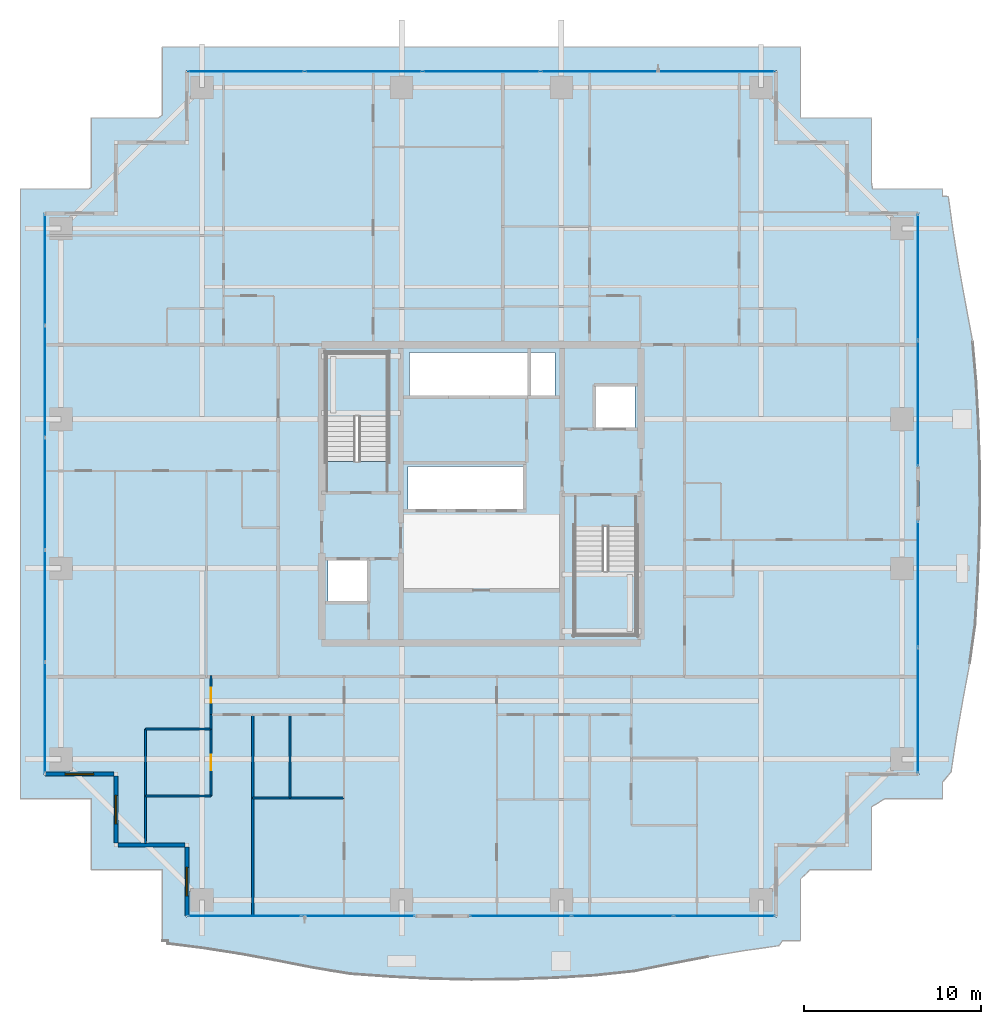
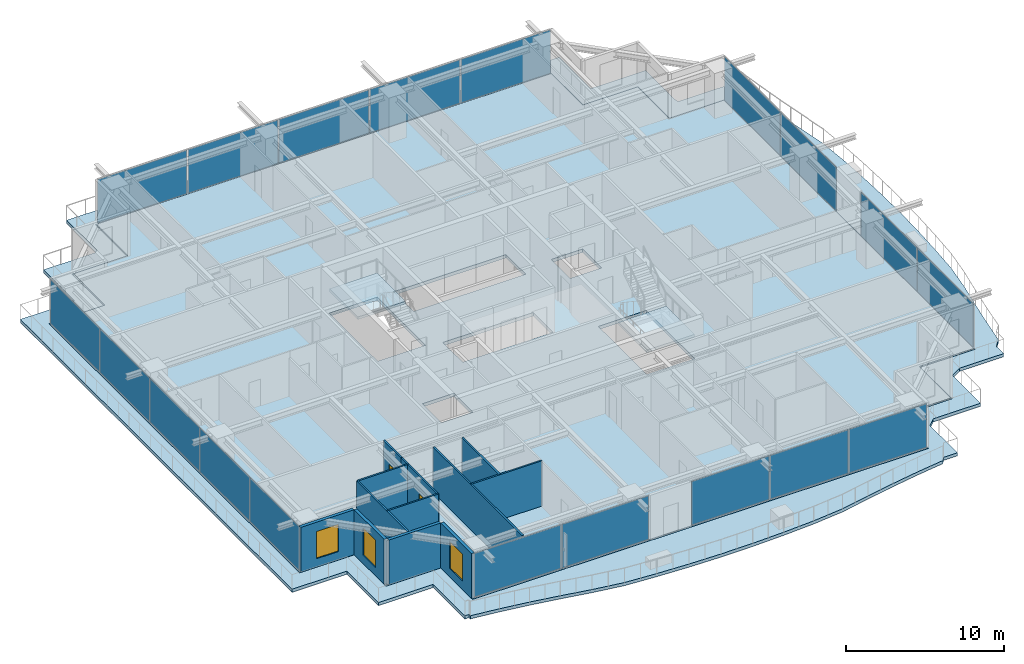
# One storey, part 25 of 36: 19 plates, 13 walls, 4 slabs, 3 windows, 2 doors, 5 openings, 8 elements without a shape of their own.
"""IFC4 building model written with IfcOpenShell, lengths in metres."""

from ifc_helpers import new_model, si_unit, direction, frame, frame_2d, origin, origin_2d, place, context, subcontext, project, spatial, polyline, rectangle, outline, extrude, source, transform, mapped, material, layer, layer_set, type_object, element, fill, aggregate, save


model = new_model("IFC4")

# Units and contexts
model_context = context("Model", 3, precision=1e-05, world=origin(), true_north=direction((0.0, 1.0)))
body_context = subcontext(model_context, "Body", "Model", "MODEL_VIEW")
ifc_project = project(units=[si_unit("LENGTHUNIT", "METRE"), si_unit("AREAUNIT", "SQUARE_METRE"), si_unit("VOLUMEUNIT", "CUBIC_METRE"), si_unit("PLANEANGLEUNIT", "RADIAN"), si_unit("MASSUNIT", "GRAM", prefix="KILO")], contexts=[model_context])

# Site, building, storey
site_placement = place(None, origin())
site = spatial("IfcSite", under=ifc_project, at=site_placement, CompositionType="ELEMENT")
building_placement = place(site_placement, origin())
building = spatial("IfcBuilding", under=site, at=building_placement, Name="Serunith Strait Residences", CompositionType="ELEMENT")
storey_placement = place(building_placement, frame((0.0, 0.0, 146.39990234375)))
storey = spatial("IfcBuildingStorey", under=building, at=storey_placement, Name="L36", CompositionType="ELEMENT", Elevation=146.39990234375)

# Slab
ifc_material_1 = material(Name="Concrete C50/60", Category="concrete")
ifc_layer_1 = layer(ifc_material_1, 0.239990234375, Name="Concrete C50/60")
ifc_layer_set_1 = layer_set([ifc_layer_1], Name="Concrete C50/60")
slab_type_1 = type_object("IfcSlabType", Name="SLB-BALC-240", PredefinedType="FLOOR", material=ifc_layer_set_1)
slab_1_placement = place(storey_placement, frame((0.0, 0.0, -0.289794921875)))
element("IfcSlab", 1, at=slab_1_placement, inside=storey, type_object=slab_type_1, Name="L36 Planted Vertical-Forest Balcony Slab", PredefinedType="FLOOR", context=body_context, shape_type="SweptSolid", body=[
    extrude(outline(polyline([(14.419921875, 0.02001953125), (14.419921875, 4.02001953125), (10.419921875, 4.02001953125), (10.419921875, 8.02001953125), (6.419921875, 8.02001953125), (6.419921875, 42.3798828125), (10.284912109375, 42.3798828125), (10.419921875, 42.47802734375), (10.419921875, 46.3798828125), (14.1982421875, 46.3798828125), (14.419921875, 46.55908203125), (14.419921875, 50.3798828125), (50.3798828125, 50.3798828125), (50.3798828125, 46.3798828125), (54.3798828125, 46.3798828125), (54.3798828125, 42.75341796875), (54.434814453125, 42.3798828125), (58.3798828125, 42.3798828125), (58.3798828125, 41.97314453125), (58.707763671875, 41.9541015625), (58.984619140625, 39.951171875), (59.314697265625, 37.927978515625), (59.689208984375, 35.867919921875), (60.084228515625, 33.7529296875), (60.27587890625, 31.52685546875), (60.400390625, 29.259765625), (60.475341796875, 26.968994140625), (60.49365234375, 24.6669921875), (60.453369140625, 22.3681640625), (60.3583984375, 20.085693359375), (60.217529296875, 17.8310546875), (59.915283203125, 15.655517578125), (59.525634765625, 13.56689453125), (59.168701171875, 11.525390625), (58.861083984375, 9.51318359375), (58.3798828125, 8.947998046875), (58.3798828125, 8.02001953125), (55.145751953125, 8.02001953125), (54.3798828125, 7.5615234375), (54.3798828125, 4.02001953125), (50.92578125, 4.02001953125), (50.3798828125, 3.493896484375), (50.3798828125, 0.02001953125), (49.368896484375, 0.02001953125), (49.1640625, -0.26708984375), (47.167236328125, -0.548095703125), (45.15234375, -0.88916015625), (43.1005859375, -1.282470703125), (40.9912109375, -1.7041015625), (38.76708984375, -1.941650390625), (36.488037109375, -2.078857421875), (34.181884765625, -2.159423828125), (31.86328125, -2.175048828125), (29.549072265625, -2.123779296875), (27.2548828125, -2.011474609375), (24.99365234375, -1.84912109375), (22.829345703125, -1.493408203125), (20.750244140625, -1.0810546875), (18.718505859375, -0.711181640625), (16.714111328125, -0.3994140625), (14.720703125, -0.147216796875), (14.72216796875, 0.02001953125), (14.419921875, 0.02001953125)]), holes=[polyline([(49.054931640625, 1.344970703125), (49.054931640625, 5.344970703125), (53.054931640625, 5.344970703125), (53.054931640625, 9.344970703125), (57.054931640625, 9.344970703125), (57.054931640625, 41.054931640625), (53.054931640625, 41.054931640625), (53.054931640625, 45.054931640625), (49.054931640625, 45.054931640625), (49.054931640625, 49.054931640625), (15.7451171875, 49.054931640625), (15.7451171875, 45.054931640625), (11.7451171875, 45.054931640625), (11.7451171875, 41.054931640625), (7.7451171875, 41.054931640625), (7.7451171875, 9.344970703125), (11.7451171875, 9.344970703125), (11.7451171875, 5.344970703125), (15.7451171875, 5.344970703125), (15.7451171875, 1.344970703125), (49.054931640625, 1.344970703125)])]), origin(), (0.0, 0.0, 1.0), 0.239990234375),
])

# Stair, slab
stair_type_1 = type_object("IfcStairType", Name="STR-CORE-1", PredefinedType="HALF_TURN_STAIR", material=ifc_material_1)
stair_1_placement = place(storey_placement, origin())
stair_1 = element("IfcStair", 2, at=stair_1_placement, inside=storey, type_object=stair_type_1, Name="L36 Protected Escape Stair ST-1", PredefinedType="HALF_TURN_STAIR")
ifc_layer_2 = layer(ifc_material_1, 0.199951171875, Name="Concrete C50/60")
ifc_layer_set_2 = layer_set([ifc_layer_2], Name="Concrete C50/60")
slab_type_2 = type_object("IfcSlabType", Name="SLB-LAND-200", PredefinedType="LANDING", material=ifc_layer_set_2)
slab_2_placement = place(storey_placement, frame((0.0, 0.0, 1.675048828125)))
slab_2 = element("IfcSlab", 3, at=slab_2_placement, type_object=slab_type_2, Name="ST-1 landing 1", PredefinedType="LANDING", context=body_context, shape_type="SweptSolid", body=[
    extrude(outline(polyline([(27.14990234375, 29.550048828125), (27.14990234375, 33.14990234375), (23.64990234375, 33.14990234375), (23.64990234375, 29.550048828125), (27.14990234375, 29.550048828125)])), origin(), (0.0, 0.0, 1.0), 0.199951171875),
])
aggregate(stair_1, [slab_2])

stair_type_2 = type_object("IfcStairType", Name="STR-CORE-2", PredefinedType="HALF_TURN_STAIR", material=ifc_material_1)
stair_2_placement = place(storey_placement, origin())
stair_2 = element("IfcStair", 4, at=stair_2_placement, inside=storey, type_object=stair_type_2, Name="L36 Protected Escape Stair ST-2", PredefinedType="HALF_TURN_STAIR")
slab_3_placement = place(storey_placement, frame((0.0, 0.0, 1.675048828125)))
slab_3 = element("IfcSlab", 5, at=slab_3_placement, type_object=slab_type_2, Name="ST-2 landing 1", PredefinedType="LANDING", context=body_context, shape_type="SweptSolid", body=[
    extrude(outline(polyline([(37.64990234375, 20.85009765625), (37.64990234375, 17.25), (41.14990234375, 17.25), (41.14990234375, 20.85009765625), (37.64990234375, 20.85009765625)])), origin(), (0.0, 0.0, 1.0), 0.199951171875),
])
aggregate(stair_2, [slab_3])

# Slab
ifc_material_2 = material(Name="Concrete C60/75", Category="concrete")
ifc_layer_3 = layer(ifc_material_2, 0.260009765625, Name="Concrete C60/75")
ifc_layer_set_3 = layer_set([ifc_layer_3], Name="Concrete C60/75")
slab_type_3 = type_object("IfcSlabType", Name="SLB-TWR-260-Z2", PredefinedType="FLOOR", material=ifc_layer_set_3)
slab_4_placement = place(storey_placement, frame((0.0, 0.0, -0.260009765625)))
element("IfcSlab", 6, at=slab_4_placement, inside=storey, type_object=slab_type_3, Name="L36 Structural Floor Plate", PredefinedType="FLOOR", context=body_context, shape_type="SweptSolid", body=[
    extrude(outline(polyline([(15.800048828125, 5.39990234375), (11.800048828125, 5.39990234375), (11.800048828125, 9.39990234375), (7.800048828125, 9.39990234375), (7.800048828125, 41.0), (11.800048828125, 41.0), (11.800048828125, 45.0), (15.800048828125, 45.0), (15.800048828125, 49.0), (49.0, 49.0), (49.0, 45.0), (53.0, 45.0), (53.0, 41.0), (57.0, 41.0), (57.0, 9.39990234375), (53.0, 9.39990234375), (53.0, 5.39990234375), (49.0, 5.39990234375), (49.0, 1.39990234375), (15.800048828125, 1.39990234375), (15.800048828125, 5.39990234375)]), holes=[polyline([(41.14990234375, 23.3701171875), (37.64990234375, 23.3701171875), (37.64990234375, 17.25), (41.14990234375, 17.25), (41.14990234375, 23.3701171875)]), polyline([(38.75, 31.25), (38.75, 28.85009765625), (41.050048828125, 28.85009765625), (41.050048828125, 31.25), (38.75, 31.25)]), polyline([(36.550048828125, 33.14990234375), (28.35009765625, 33.14990234375), (28.35009765625, 30.64990234375), (36.550048828125, 30.64990234375), (36.550048828125, 33.14990234375)]), polyline([(34.85009765625, 26.75), (28.25, 26.75), (28.25, 24.25), (34.85009765625, 24.25), (34.85009765625, 26.75)]), polyline([(23.64990234375, 33.14990234375), (23.64990234375, 27.030029296875), (27.14990234375, 27.030029296875), (27.14990234375, 33.14990234375), (23.64990234375, 33.14990234375)]), polyline([(26.050048828125, 21.550048828125), (23.75, 21.550048828125), (23.75, 19.14990234375), (26.050048828125, 19.14990234375), (26.050048828125, 21.550048828125)])]), origin(), (0.0, 0.0, 1.0), 0.260009765625),
])

# Curtain wall, plates
ifc_material_3 = material(Name="Pale-Champagne Anodised Aluminium", Category="aluminium")
ifc_layer_4 = layer(ifc_material_3, 0.199951171875, Name="Pale-Champagne Anodised Aluminium")
ifc_layer_set_4 = layer_set([ifc_layer_4], Name="Pale-Champagne Anodised Aluminium")
curtain_wall_type = type_object("IfcCurtainWallType", Name="CW-SYS2", PredefinedType="NOTDEFINED", material=ifc_layer_set_4)
curtain_wall_1_placement = place(storey_placement, origin())
curtain_wall_1 = element("IfcCurtainWall", 7, at=curtain_wall_1_placement, inside=storey, type_object=curtain_wall_type, Name="L36 N Unitised Fritted Curtain Wall", PredefinedType="NOTDEFINED")
ifc_material_4 = material(Name="Diagonal-Frit Operable Low-E Glazing 30mm", Category="glass")
ifc_layer_5 = layer(ifc_material_4, 0.030029296875, Name="Diagonal-Frit Operable Low-E Glazing 30mm")
ifc_layer_set_5 = layer_set([ifc_layer_5], Name="Diagonal-Frit Operable Low-E Glazing 30mm")
plate_type = type_object("IfcPlateType", Name="CW-SYS2-PNL", PredefinedType="CURTAIN_PANEL", material=ifc_layer_set_5)
shared_shape_1 = source(origin(), body_context, "Body", "SweptSolid", [
    extrude(rectangle(XDim=6.534912109375, YDim=0.030029296875, at=origin_2d()), origin(), (0.0, 0.0, 1.0), 3.35498046875),
])
plate_1_placement = place(storey_placement, frame((45.66259765625, 49.0, 0.06005859375), z_axis=(0.0, 0.0, 1.0), x_axis=(-1.0, 0.0, 0.0)))
plate_1 = element("IfcPlate", 8, at=plate_1_placement, type_object=plate_type, Name="CW-2 panel 1.1", PredefinedType="CURTAIN_PANEL", context=body_context, shape_type="MappedRepresentation", body=[
    mapped(shared_shape_1, transform((0.0, 0.0, 0.0), scale=1.0)),
])
plate_2_placement = place(storey_placement, frame((19.137451171875, 49.0, 0.06005859375), z_axis=(0.0, 0.0, 1.0), x_axis=(-1.0, 0.0, 0.0)))
plate_2 = element("IfcPlate", 9, at=plate_2_placement, type_object=plate_type, Name="CW-2 panel 5.1", PredefinedType="CURTAIN_PANEL", context=body_context, shape_type="MappedRepresentation", body=[
    mapped(shared_shape_1, transform((0.0, 0.0, 0.0), scale=1.0)),
])
shared_shape_2 = source(origin(), body_context, "Body", "SweptSolid", [
    extrude(rectangle(XDim=6.570068359375, YDim=0.030029296875, at=origin_2d()), origin(), (0.0, 0.0, 1.0), 3.35498046875),
])
plate_3_placement = place(storey_placement, frame((39.0400390625, 49.0, 0.06005859375), z_axis=(0.0, 0.0, 1.0), x_axis=(-1.0, 0.0, 0.0)))
plate_3 = element("IfcPlate", 10, at=plate_3_placement, type_object=plate_type, Name="CW-2 panel 2.1", PredefinedType="CURTAIN_PANEL", context=body_context, shape_type="MappedRepresentation", body=[
    mapped(shared_shape_2, transform((0.0, 0.0, 0.0), scale=1.0)),
])
plate_4_placement = place(storey_placement, frame((32.39990234375, 49.0, 0.06005859375), z_axis=(0.0, 0.0, 1.0), x_axis=(-1.0, 0.0, 0.0)))
plate_4 = element("IfcPlate", 11, at=plate_4_placement, type_object=plate_type, Name="CW-2 panel 3.1", PredefinedType="CURTAIN_PANEL", context=body_context, shape_type="MappedRepresentation", body=[
    mapped(shared_shape_2, transform((0.0, 0.0, 0.0), scale=1.0)),
])
plate_5_placement = place(storey_placement, frame((25.760009765625, 49.0, 0.06005859375), z_axis=(0.0, 0.0, 1.0), x_axis=(-1.0, 0.0, 0.0)))
plate_5 = element("IfcPlate", 12, at=plate_5_placement, type_object=plate_type, Name="CW-2 panel 4.1", PredefinedType="CURTAIN_PANEL", context=body_context, shape_type="MappedRepresentation", body=[
    mapped(shared_shape_2, transform((0.0, 0.0, 0.0), scale=1.0)),
])
aggregate(curtain_wall_1, [plate_1, plate_3, plate_4, plate_5, plate_2])

curtain_wall_2_placement = place(storey_placement, origin())
curtain_wall_2 = element("IfcCurtainWall", 13, at=curtain_wall_2_placement, inside=storey, type_object=curtain_wall_type, Name="L36 W Unitised Fritted Curtain Wall", PredefinedType="NOTDEFINED")
shared_shape_3 = source(origin(), body_context, "Body", "SweptSolid", [
    extrude(rectangle(XDim=6.215087890625, YDim=0.030029296875, at=origin_2d()), origin(), (0.0, 0.0, 1.0), 3.35498046875),
])
plate_6_placement = place(storey_placement, frame((7.800048828125, 37.822509765625, 0.06005859375), z_axis=(0.0, 0.0, 1.0), x_axis=(0.0, -1.0, 0.0)))
plate_6 = element("IfcPlate", 14, at=plate_6_placement, type_object=plate_type, Name="CW-2 panel 1.1", PredefinedType="CURTAIN_PANEL", context=body_context, shape_type="MappedRepresentation", body=[
    mapped(shared_shape_3, transform((0.0, 0.0, 0.0), scale=1.0)),
])
plate_7_placement = place(storey_placement, frame((7.800048828125, 12.577392578125, 0.06005859375), z_axis=(0.0, 0.0, 1.0), x_axis=(0.0, -1.0, 0.0)))
plate_7 = element("IfcPlate", 15, at=plate_7_placement, type_object=plate_type, Name="CW-2 panel 5.1", PredefinedType="CURTAIN_PANEL", context=body_context, shape_type="MappedRepresentation", body=[
    mapped(shared_shape_3, transform((0.0, 0.0, 0.0), scale=1.0)),
])
shared_shape_4 = source(origin(), body_context, "Body", "SweptSolid", [
    extrude(rectangle(XDim=6.25, YDim=0.030029296875, at=origin_2d()), origin(), (0.0, 0.0, 1.0), 3.35498046875),
])
plate_8_placement = place(storey_placement, frame((7.800048828125, 31.52001953125, 0.06005859375), z_axis=(0.0, 0.0, 1.0), x_axis=(0.0, -1.0, 0.0)))
plate_8 = element("IfcPlate", 16, at=plate_8_placement, type_object=plate_type, Name="CW-2 panel 2.1", PredefinedType="CURTAIN_PANEL", context=body_context, shape_type="MappedRepresentation", body=[
    mapped(shared_shape_4, transform((0.0, 0.0, 0.0), scale=1.0)),
])
plate_9_placement = place(storey_placement, frame((7.800048828125, 25.199951171875, 0.06005859375), z_axis=(0.0, 0.0, 1.0), x_axis=(0.0, -1.0, 0.0)))
plate_9 = element("IfcPlate", 17, at=plate_9_placement, type_object=plate_type, Name="CW-2 panel 3.1", PredefinedType="CURTAIN_PANEL", context=body_context, shape_type="MappedRepresentation", body=[
    mapped(shared_shape_4, transform((0.0, 0.0, 0.0), scale=1.0)),
])
plate_10_placement = place(storey_placement, frame((7.800048828125, 18.8798828125, 0.06005859375), z_axis=(0.0, 0.0, 1.0), x_axis=(0.0, -1.0, 0.0)))
plate_10 = element("IfcPlate", 18, at=plate_10_placement, type_object=plate_type, Name="CW-2 panel 4.1", PredefinedType="CURTAIN_PANEL", context=body_context, shape_type="MappedRepresentation", body=[
    mapped(shared_shape_4, transform((0.0, 0.0, 0.0), scale=1.0)),
])
aggregate(curtain_wall_2, [plate_6, plate_8, plate_9, plate_10, plate_7])

curtain_wall_3_placement = place(storey_placement, origin())
curtain_wall_3 = element("IfcCurtainWall", 19, at=curtain_wall_3_placement, inside=storey, type_object=curtain_wall_type, Name="L36 S Unitised Fritted Curtain Wall", PredefinedType="NOTDEFINED")
shared_shape_5 = source(origin(), body_context, "Body", "SweptSolid", [
    extrude(rectangle(XDim=5.66162109375, YDim=0.030029296875, at=origin_2d()), origin(), (0.0, 0.0, 1.0), 3.35498046875),
])
plate_11_placement = place(storey_placement, frame((34.600830078125, 1.39990234375, 0.06005859375), z_axis=(0.0, 0.0, 1.0), x_axis=(1.0, 0.0, 0.0)))
plate_11 = element("IfcPlate", 20, at=plate_11_placement, type_object=plate_type, Name="CW-2 panel 1.1", PredefinedType="CURTAIN_PANEL", context=body_context, shape_type="MappedRepresentation", body=[
    mapped(shared_shape_5, transform((0.0, 0.0, 0.0), scale=1.0)),
])
plate_12_placement = place(storey_placement, frame((46.09912109375, 1.39990234375, 0.06005859375), z_axis=(0.0, 0.0, 1.0), x_axis=(1.0, 0.0, 0.0)))
plate_12 = element("IfcPlate", 21, at=plate_12_placement, type_object=plate_type, Name="CW-2 panel 3.1", PredefinedType="CURTAIN_PANEL", context=body_context, shape_type="MappedRepresentation", body=[
    mapped(shared_shape_5, transform((0.0, 0.0, 0.0), scale=1.0)),
])
shared_shape_6 = source(origin(), body_context, "Body", "SweptSolid", [
    extrude(rectangle(XDim=5.69677734375, YDim=0.030029296875, at=origin_2d()), origin(), (0.0, 0.0, 1.0), 3.35498046875),
])
plate_13_placement = place(storey_placement, frame((40.35009765625, 1.39990234375, 0.06005859375), z_axis=(0.0, 0.0, 1.0), x_axis=(1.0, 0.0, 0.0)))
plate_13 = element("IfcPlate", 22, at=plate_13_placement, type_object=plate_type, Name="CW-2 panel 2.1", PredefinedType="CURTAIN_PANEL", context=body_context, shape_type="MappedRepresentation", body=[
    mapped(shared_shape_6, transform((0.0, 0.0, 0.0), scale=1.0)),
])
aggregate(curtain_wall_3, [plate_11, plate_13, plate_12])

curtain_wall_4_placement = place(storey_placement, origin())
curtain_wall_4 = element("IfcCurtainWall", 23, at=curtain_wall_4_placement, inside=storey, type_object=curtain_wall_type, Name="L36 S Unitised Fritted Curtain Wall", PredefinedType="NOTDEFINED")
shared_shape_7 = source(origin(), body_context, "Body", "SweptSolid", [
    extrude(rectangle(XDim=6.344970703125, YDim=0.030029296875, at=origin_2d()), origin(), (0.0, 0.0, 1.0), 3.35498046875),
])
plate_14_placement = place(storey_placement, frame((19.04248046875, 1.39990234375, 0.06005859375), z_axis=(0.0, 0.0, 1.0), x_axis=(1.0, 0.0, 0.0)))
plate_14 = element("IfcPlate", 24, at=plate_14_placement, type_object=plate_type, Name="CW-2 panel 1.1", PredefinedType="CURTAIN_PANEL", context=body_context, shape_type="MappedRepresentation", body=[
    mapped(shared_shape_7, transform((0.0, 0.0, 0.0), scale=1.0)),
])
plate_15_placement = place(storey_placement, frame((25.45751953125, 1.39990234375, 0.06005859375), z_axis=(0.0, 0.0, 1.0), x_axis=(1.0, 0.0, 0.0)))
plate_15 = element("IfcPlate", 25, at=plate_15_placement, type_object=plate_type, Name="CW-2 panel 2.1", PredefinedType="CURTAIN_PANEL", context=body_context, shape_type="MappedRepresentation", body=[
    mapped(shared_shape_7, transform((0.0, 0.0, 0.0), scale=1.0)),
])
aggregate(curtain_wall_4, [plate_14, plate_15])

curtain_wall_5_placement = place(storey_placement, origin())
curtain_wall_5 = element("IfcCurtainWall", 26, at=curtain_wall_5_placement, inside=storey, type_object=curtain_wall_type, Name="L36 E Unitised Fritted Curtain Wall", PredefinedType="NOTDEFINED")
shared_shape_8 = source(origin(), body_context, "Body", "SweptSolid", [
    extrude(rectangle(XDim=7.044921875, YDim=0.030029296875, at=origin_2d()), origin(), (0.0, 0.0, 1.0), 3.35498046875),
])
plate_16_placement = place(storey_placement, frame((57.0, 12.992431640625, 0.06005859375), z_axis=(0.0, 0.0, 1.0), x_axis=(0.0, 1.0, 0.0)))
plate_16 = element("IfcPlate", 27, at=plate_16_placement, type_object=plate_type, Name="CW-2 panel 1.1", PredefinedType="CURTAIN_PANEL", context=body_context, shape_type="MappedRepresentation", body=[
    mapped(shared_shape_8, transform((0.0, 0.0, 0.0), scale=1.0)),
])
plate_17_placement = place(storey_placement, frame((57.0, 20.107421875, 0.06005859375), z_axis=(0.0, 0.0, 1.0), x_axis=(0.0, 1.0, 0.0)))
plate_17 = element("IfcPlate", 28, at=plate_17_placement, type_object=plate_type, Name="CW-2 panel 2.1", PredefinedType="CURTAIN_PANEL", context=body_context, shape_type="MappedRepresentation", body=[
    mapped(shared_shape_8, transform((0.0, 0.0, 0.0), scale=1.0)),
])
aggregate(curtain_wall_5, [plate_16, plate_17])

curtain_wall_6_placement = place(storey_placement, origin())
curtain_wall_6 = element("IfcCurtainWall", 29, at=curtain_wall_6_placement, inside=storey, type_object=curtain_wall_type, Name="L36 E Unitised Fritted Curtain Wall", PredefinedType="NOTDEFINED")
plate_18_placement = place(storey_placement, frame((57.0, 30.29248046875, 0.06005859375), z_axis=(0.0, 0.0, 1.0), x_axis=(0.0, 1.0, 0.0)))
plate_18 = element("IfcPlate", 30, at=plate_18_placement, type_object=plate_type, Name="CW-2 panel 1.1", PredefinedType="CURTAIN_PANEL", context=body_context, shape_type="MappedRepresentation", body=[
    mapped(shared_shape_8, transform((0.0, 0.0, 0.0), scale=1.0)),
])
plate_19_placement = place(storey_placement, frame((57.0, 37.407470703125, 0.06005859375), z_axis=(0.0, 0.0, 1.0), x_axis=(0.0, 1.0, 0.0)))
plate_19 = element("IfcPlate", 31, at=plate_19_placement, type_object=plate_type, Name="CW-2 panel 2.1", PredefinedType="CURTAIN_PANEL", context=body_context, shape_type="MappedRepresentation", body=[
    mapped(shared_shape_8, transform((0.0, 0.0, 0.0), scale=1.0)),
])
aggregate(curtain_wall_6, [plate_18, plate_19])

# Wall, opening, window
ifc_material_5 = material(Name="Pale-Champagne Aluminium Insulated Panel", Category="aluminium")
ifc_layer_6 = layer(ifc_material_5, 0.219970703125, Name="Pale-Champagne Aluminium Insulated Panel")
ifc_layer_set_6 = layer_set([ifc_layer_6], Name="Pale-Champagne Aluminium Insulated Panel")
wall_type_1 = type_object("IfcWallType", Name="EW-ALUM-220", PredefinedType="ELEMENTEDWALL", material=ifc_layer_set_6)
wall_1_placement = place(storey_placement, frame((7.800048828125, 9.39990234375, 0.0), z_axis=(0.0, 0.0, 1.0), x_axis=(1.0, 0.0, 0.0)))
wall_1 = element("IfcWall", 32, at=wall_1_placement, inside=storey, type_object=wall_type_1, Name="L36 Girih Serrated Corner Wall 17", PredefinedType="ELEMENTEDWALL", context=body_context, shape_type="SweptSolid", body=[
    extrude(rectangle(XDim=3.889892578125, YDim=0.219970703125, at=frame_2d((1.94482421875, 0.0))), origin(), (0.0, 0.0, 1.0), 3.47509765625),
])
opening_1_placement = place(wall_1_placement, frame((1.14501953125, 0.0, 0.64990234375)))
opening_1 = element("IfcOpeningElement", 33, at=opening_1_placement, cuts=wall_1, Name="Opening W-02", PredefinedType="OPENING", context=body_context, shape_type="SweptSolid", body=[
    extrude(rectangle(XDim=1.60009765625, YDim=2.10009765625, at=frame_2d((0.800048828125, 1.050048828125))), frame((0.0, 0.1201171875, 0.0), z_axis=(0.0, -1.0, 0.0), x_axis=(1.0, 0.0, 0.0)), (0.0, 0.0, 1.0), 0.239990234375),
])
ifc_material_6 = material(Name="Ceramic-Fritted Operable Aluminium Window Glass", Category="aluminium")
window_type = type_object("IfcWindowType", Name="WIN-C2", PartitioningType="DOUBLE_PANEL_VERTICAL", PredefinedType="WINDOW", material=ifc_material_6)
shared_shape_9 = source(origin(), body_context, "Body", "SweptSolid", [
    extrude(rectangle(XDim=1.60009765625, YDim=2.10009765625, at=frame_2d((0.800048828125, 1.050048828125))), frame((0.0, 0.030029296875, 0.0), z_axis=(0.0, -1.0, 0.0), x_axis=(1.0, 0.0, 0.0)), (0.0, 0.0, 1.0), 0.06005859375),
])
window_1_placement = place(opening_1_placement, origin())
window_1 = element("IfcWindow", 34, at=window_1_placement, inside=storey, type_object=window_type, Name="L36 Corner Operable Fritted Window 17", OverallHeight=2.10009765625, OverallWidth=1.60009765625, PartitioningType="SINGLE_PANEL", PredefinedType="WINDOW", context=body_context, shape_type="MappedRepresentation", body=[
    mapped(shared_shape_9, transform((0.0, 0.0, 0.0), scale=1.0)),
])
fill(opening_1, window_1)

wall_2_placement = place(storey_placement, frame((11.800048828125, 9.2900390625, 0.0), z_axis=(0.0, 0.0, 1.0), x_axis=(0.0, -1.0, 0.0)))
wall_2 = element("IfcWall", 35, at=wall_2_placement, inside=storey, type_object=wall_type_1, Name="L36 Girih Serrated Corner Wall 18", PredefinedType="ELEMENTEDWALL", context=body_context, shape_type="SweptSolid", body=[
    extrude(rectangle(XDim=3.780029296875, YDim=0.219970703125, at=frame_2d((1.89013671875, 0.0))), origin(), (0.0, 0.0, 1.0), 3.47509765625),
])
opening_2_placement = place(wall_2_placement, frame((1.090087890625, 0.0, 0.64990234375)))
opening_2 = element("IfcOpeningElement", 36, at=opening_2_placement, cuts=wall_2, Name="Opening W-02", PredefinedType="OPENING", context=body_context, shape_type="SweptSolid", body=[
    extrude(rectangle(XDim=1.60009765625, YDim=2.10009765625, at=frame_2d((0.800048828125, 1.050048828125))), frame((0.0, 0.1201171875, 0.0), z_axis=(0.0, -1.0, 0.0), x_axis=(1.0, 0.0, 0.0)), (0.0, 0.0, 1.0), 0.239990234375),
])
window_2_placement = place(opening_2_placement, origin())
window_2 = element("IfcWindow", 37, at=window_2_placement, inside=storey, type_object=window_type, Name="L36 Corner Operable Fritted Window 18", OverallHeight=2.10009765625, OverallWidth=1.60009765625, PartitioningType="SINGLE_PANEL", PredefinedType="WINDOW", context=body_context, shape_type="MappedRepresentation", body=[
    mapped(shared_shape_9, transform((0.0, 0.0, 0.0), scale=1.0)),
])
fill(opening_2, window_2)

# Wall
wall_3_placement = place(storey_placement, frame((11.909912109375, 5.39990234375, 0.0), z_axis=(0.0, 0.0, 1.0), x_axis=(1.0, 0.0, 0.0)))
element("IfcWall", 38, at=wall_3_placement, inside=storey, type_object=wall_type_1, Name="L36 Girih Serrated Corner Wall 19", PredefinedType="ELEMENTEDWALL", context=body_context, shape_type="SweptSolid", body=[
    extrude(rectangle(XDim=3.780029296875, YDim=0.219970703125, at=frame_2d((1.89013671875, 0.0))), origin(), (0.0, 0.0, 1.0), 3.47509765625),
])

# Wall, opening, window
wall_4_placement = place(storey_placement, frame((15.800048828125, 5.2900390625, 0.0), z_axis=(0.0, 0.0, 1.0), x_axis=(0.0, -1.0, 0.0)))
wall_4 = element("IfcWall", 39, at=wall_4_placement, inside=storey, type_object=wall_type_1, Name="L36 Girih Serrated Corner Wall 20", PredefinedType="ELEMENTEDWALL", context=body_context, shape_type="SweptSolid", body=[
    extrude(rectangle(XDim=3.89013671875, YDim=0.219970703125, at=frame_2d((1.945068359375, 0.0))), origin(), (0.0, 0.0, 1.0), 3.47509765625),
])
opening_3_placement = place(wall_4_placement, frame((1.14501953125, 0.0, 0.64990234375)))
opening_3 = element("IfcOpeningElement", 40, at=opening_3_placement, cuts=wall_4, Name="Opening W-02", PredefinedType="OPENING", context=body_context, shape_type="SweptSolid", body=[
    extrude(rectangle(XDim=1.60009765625, YDim=2.10009765625, at=frame_2d((0.800048828125, 1.050048828125))), frame((0.0, 0.1201171875, 0.0), z_axis=(0.0, -1.0, 0.0), x_axis=(1.0, 0.0, 0.0)), (0.0, 0.0, 1.0), 0.239990234375),
])
window_3_placement = place(opening_3_placement, origin())
window_3 = element("IfcWindow", 41, at=window_3_placement, inside=storey, type_object=window_type, Name="L36 Corner Operable Fritted Window 20", OverallHeight=2.10009765625, OverallWidth=1.60009765625, PartitioningType="SINGLE_PANEL", PredefinedType="WINDOW", context=body_context, shape_type="MappedRepresentation", body=[
    mapped(shared_shape_9, transform((0.0, 0.0, 0.0), scale=1.0)),
])
fill(opening_3, window_3)

# Walls
ifc_material_7 = material(Name="Lightweight steel-stud gypsum partition", Category="steel")
ifc_layer_7 = layer(ifc_material_7, 0.1201171875, Name="Lightweight steel-stud gypsum partition")
ifc_layer_set_7 = layer_set([ifc_layer_7], Name="Lightweight steel-stud gypsum partition")
wall_type_2 = type_object("IfcWallType", Name="IW-PART-120", PredefinedType="PARTITIONING", material=ifc_layer_set_7)
wall_5_placement = place(storey_placement, frame((19.510009765625, 8.06298828125, 0.0), z_axis=(0.0, 0.0, 1.0), x_axis=(1.0, 0.0, 0.0)))
element("IfcWall", 42, at=wall_5_placement, inside=storey, type_object=wall_type_2, Name="L36 Partition Wall 028", PredefinedType="PARTITIONING", context=body_context, shape_type="SweptSolid", body=[
    extrude(rectangle(XDim=5.14990234375, YDim=0.1201171875, at=frame_2d((2.574951171875, 0.0))), origin(), (0.0, 0.0, 1.0), 3.489990234375),
])
wall_6_placement = place(storey_placement, frame((19.510009765625, 1.4951171875, 0.0), z_axis=(0.0, 0.0, 1.0), x_axis=(0.0, 1.0, 0.0)))
element("IfcWall", 43, at=wall_6_placement, inside=storey, type_object=wall_type_2, Name="L36 Partition Wall 029", PredefinedType="PARTITIONING", context=body_context, shape_type="SweptSolid", body=[
    extrude(rectangle(XDim=11.2548828125, YDim=0.1201171875, at=frame_2d((5.62744140625, 0.0))), origin(), (0.0, 0.0, 1.0), 3.489990234375),
])
wall_7_placement = place(storey_placement, frame((21.610107421875, 8.06298828125, 0.0), z_axis=(0.0, 0.0, 1.0), x_axis=(0.0, 1.0, 0.0)))
element("IfcWall", 44, at=wall_7_placement, inside=storey, type_object=wall_type_2, Name="L36 Partition Wall 030", PredefinedType="PARTITIONING", context=body_context, shape_type="SweptSolid", body=[
    extrude(rectangle(XDim=4.68701171875, YDim=0.1201171875, at=frame_2d((2.343505859375, 0.0))), origin(), (0.0, 0.0, 1.0), 3.489990234375),
])
wall_8_placement = place(storey_placement, frame((13.4599609375, 8.1669921875, 0.0), z_axis=(0.0, 0.0, 1.0), x_axis=(1.0, 0.0, 0.0)))
element("IfcWall", 45, at=wall_8_placement, inside=storey, type_object=wall_type_2, Name="L36 Partition Wall 034", PredefinedType="PARTITIONING", context=body_context, shape_type="SweptSolid", body=[
    extrude(rectangle(XDim=3.699951171875, YDim=0.1201171875, at=frame_2d((1.85009765625, 0.0))), origin(), (0.0, 0.0, 1.0), 3.489990234375),
])
wall_9_placement = place(storey_placement, frame((13.4599609375, 5.4951171875, 0.0), z_axis=(0.0, 0.0, 1.0), x_axis=(0.0, 1.0, 0.0)))
element("IfcWall", 46, at=wall_9_placement, inside=storey, type_object=wall_type_2, Name="L36 Partition Wall 035", PredefinedType="PARTITIONING", context=body_context, shape_type="SweptSolid", body=[
    extrude(rectangle(XDim=6.455810546875, YDim=0.1201171875, at=frame_2d((3.22802734375, 0.0))), origin(), (0.0, 0.0, 1.0), 3.489990234375),
])
wall_10_placement = place(storey_placement, frame((13.4599609375, 11.950927734375, 0.0), z_axis=(0.0, 0.0, 1.0), x_axis=(1.0, 0.0, 0.0)))
element("IfcWall", 47, at=wall_10_placement, inside=storey, type_object=wall_type_2, Name="L36 Partition Wall 036", PredefinedType="PARTITIONING", context=body_context, shape_type="SweptSolid", body=[
    extrude(rectangle(XDim=3.699951171875, YDim=0.1201171875, at=frame_2d((1.85009765625, 0.0))), origin(), (0.0, 0.0, 1.0), 3.489990234375),
])

# Wall, opening, door
wall_11_placement = place(storey_placement, frame((17.159912109375, 8.1669921875, 0.0), z_axis=(0.0, 0.0, 1.0), x_axis=(0.0, 1.0, 0.0)))
wall_11 = element("IfcWall", 48, at=wall_11_placement, inside=storey, type_object=wall_type_2, Name="L36 Partition Wall 037", PredefinedType="PARTITIONING", context=body_context, shape_type="SweptSolid", body=[
    extrude(rectangle(XDim=3.783935546875, YDim=0.1201171875, at=frame_2d((1.89208984375, 0.0))), origin(), (0.0, 0.0, 1.0), 3.489990234375),
])
opening_4_placement = place(wall_11_placement, frame((1.467041015625, 0.0, 0.0)))
opening_4 = element("IfcOpeningElement", 49, at=opening_4_placement, cuts=wall_11, Name="Opening D-BTH850", PredefinedType="OPENING", context=body_context, shape_type="SweptSolid", body=[
    extrude(rectangle(XDim=0.85009765625, YDim=2.10009765625, at=frame_2d((0.425048828125, 1.050048828125))), frame((0.0, 0.070068359375, 0.0), z_axis=(0.0, -1.0, 0.0), x_axis=(1.0, 0.0, 0.0)), (0.0, 0.0, 1.0), 0.14013671875),
])
ifc_material_8 = material(Name="Moisture-resistant timber bathroom door", Category="wood")
door_type_1 = type_object("IfcDoorType", Name="ID-BATH-850", OperationType="NOTDEFINED", PredefinedType="DOOR", material=ifc_material_8)
shared_shape_10 = source(origin(), body_context, "Body", "SweptSolid", [
    extrude(rectangle(XDim=0.85009765625, YDim=2.10009765625, at=frame_2d((0.425048828125, 1.050048828125))), frame((0.0, 0.02490234375, 0.0), z_axis=(0.0, -1.0, 0.0), x_axis=(1.0, 0.0, 0.0)), (0.0, 0.0, 1.0), 0.050048828125),
])
door_1_placement = place(opening_4_placement, origin())
door_1 = element("IfcDoor", 50, at=door_1_placement, inside=storey, type_object=door_type_1, Name="L36 En-suite Bathroom W 3601 Door", OperationType="SINGLE_SWING_LEFT", OverallHeight=2.10009765625, OverallWidth=0.85009765625, PredefinedType="DOOR", context=body_context, shape_type="MappedRepresentation", body=[
    mapped(shared_shape_10, transform((0.0, 0.0, 0.0), scale=1.0)),
])
fill(opening_4, door_1)

# Wall
wall_12_placement = place(storey_placement, frame((17.159912109375, 11.952880859375, 0.0), z_axis=(0.0, 0.0, 1.0), x_axis=(0.0, 1.0, 0.0)))
element("IfcWall", 51, at=wall_12_placement, inside=storey, type_object=wall_type_2, Name="L36 Partition Wall 038", PredefinedType="PARTITIONING", context=body_context, shape_type="SweptSolid", body=[
    extrude(rectangle(XDim=0.797119140625, YDim=0.1201171875, at=frame_2d((0.3984375, 0.0))), origin(), (0.0, 0.0, 1.0), 3.489990234375),
])

# Wall, opening, door
wall_13_placement = place(storey_placement, frame((17.159912109375, 12.751953125, 0.0), z_axis=(0.0, 0.0, 1.0), x_axis=(0.0, 1.0, 0.0)))
wall_13 = element("IfcWall", 52, at=wall_13_placement, inside=storey, type_object=wall_type_2, Name="L36 Partition Wall 039", PredefinedType="PARTITIONING", context=body_context, shape_type="SweptSolid", body=[
    extrude(rectangle(XDim=2.2080078125, YDim=0.1201171875, at=frame_2d((1.10400390625, 0.0))), origin(), (0.0, 0.0, 1.0), 3.489990234375),
])
opening_5_placement = place(wall_13_placement, frame((0.678955078125, 0.0, 0.0)))
opening_5 = element("IfcOpeningElement", 53, at=opening_5_placement, cuts=wall_13, Name="Opening D-RM850", PredefinedType="OPENING", context=body_context, shape_type="SweptSolid", body=[
    extrude(rectangle(XDim=0.85009765625, YDim=2.10009765625, at=frame_2d((0.425048828125, 1.050048828125))), frame((0.0, 0.070068359375, 0.0), z_axis=(0.0, -1.0, 0.0), x_axis=(1.0, 0.0, 0.0)), (0.0, 0.0, 1.0), 0.14013671875),
])
ifc_material_9 = material(Name="Engineered timber flush study and kitchen door", Category="wood")
door_type_2 = type_object("IfcDoorType", Name="ID-ROOM-850", OperationType="NOTDEFINED", PredefinedType="DOOR", material=ifc_material_9)
door_2_placement = place(opening_5_placement, origin())
door_2 = element("IfcDoor", 54, at=door_2_placement, inside=storey, type_object=door_type_2, Name="L36 Wardrobe W 3601 Door", OperationType="SINGLE_SWING_RIGHT", OverallHeight=2.10009765625, OverallWidth=0.85009765625, PredefinedType="DOOR", context=body_context, shape_type="MappedRepresentation", body=[
    mapped(shared_shape_10, transform((0.0, 0.0, 0.0), scale=1.0)),
])
fill(opening_5, door_2)

save(model, "model.ifc")
